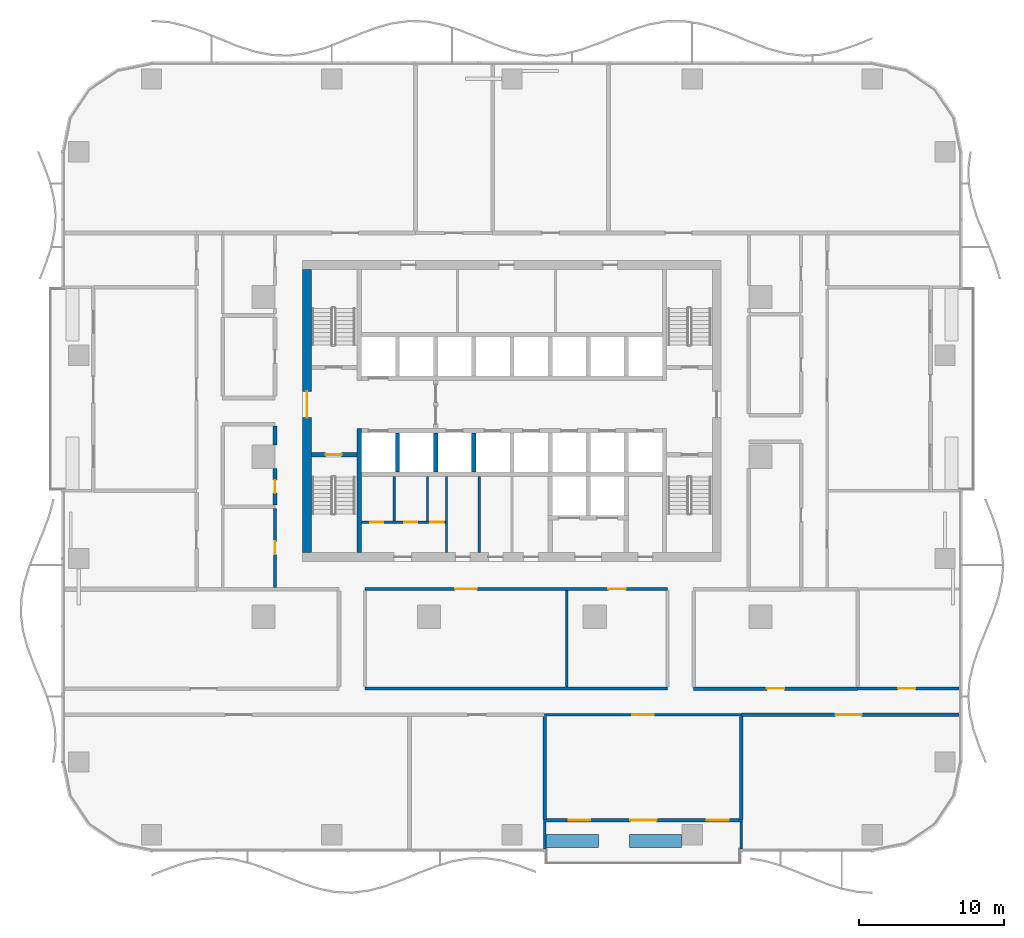
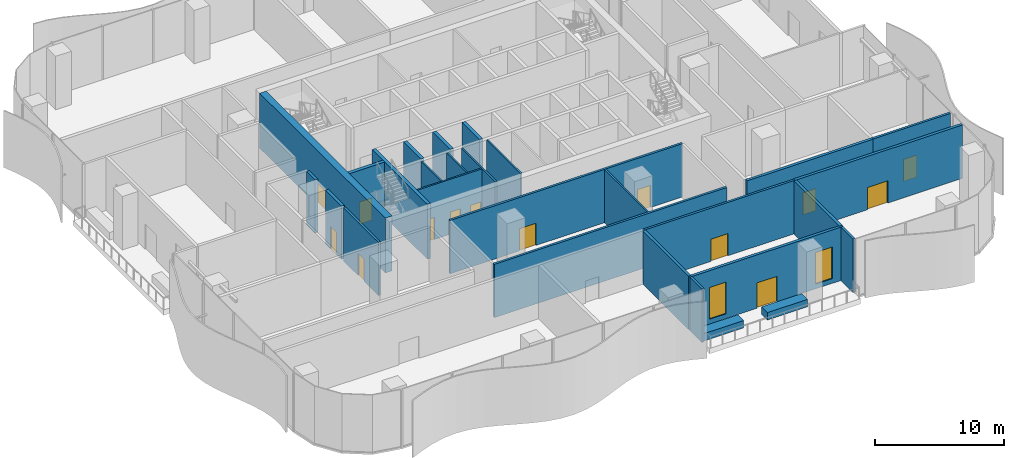
# One storey, part 8 of 20: 28 walls, 14 doors, 2 windows, 16 openings.
"""IFC4 building model written with IfcOpenShell, lengths in metres."""

from ifc_helpers import new_model, si_unit, direction, frame, frame_2d, origin, place, context, subcontext, project, spatial, rectangle, extrude, material, layer, layer_set, type_object, element, fill, save


model = new_model("IFC4")

# Units and contexts
model_context = context("Model", 3, precision=1e-05, world=origin(), true_north=direction((0.0, 1.0)))
body_context = subcontext(model_context, "Body", "Model", "MODEL_VIEW")
ifc_project = project(units=[si_unit("LENGTHUNIT", "METRE"), si_unit("AREAUNIT", "SQUARE_METRE"), si_unit("VOLUMEUNIT", "CUBIC_METRE"), si_unit("PLANEANGLEUNIT", "RADIAN"), si_unit("MASSUNIT", "GRAM", prefix="KILO")], contexts=[model_context])

# Site, building, storey
site_placement = place(None, origin())
site = spatial("IfcSite", under=ifc_project, at=site_placement, CompositionType="ELEMENT")
building_placement = place(site_placement, origin())
building = spatial("IfcBuilding", under=site, at=building_placement, Name="Mopane Tessera Tower", CompositionType="ELEMENT")
storey_placement = place(building_placement, frame((0.0, 0.0, 25.5)))
storey = spatial("IfcBuildingStorey", under=building, at=storey_placement, Name="L04", CompositionType="ELEMENT", Elevation=25.5)

# Wall, openings, doors
ifc_material_1 = material(Name="Fire-rated gypsum board partition")
ifc_layer_1 = layer(ifc_material_1, 0.14990234375)
ifc_layer_set_1 = layer_set([ifc_layer_1], Name="Fire-rated gypsum board partition")
wall_type_1 = type_object("IfcWallType", Name="Core room partition 150 mm", PredefinedType="PARTITIONING", material=ifc_layer_set_1)
wall_1_placement = place(storey_placement, frame((-10.35009765625, -4.5, 0.0), z_axis=(0.0, 0.0, 1.0), x_axis=(1.0, 0.0, 0.0)))
wall_1 = element("IfcWall", 1, at=wall_1_placement, inside=storey, type_object=wall_type_1, Name="L04 WC partition", PredefinedType="PARTITIONING", context=body_context, shape_type="SweptSolid", body=[
    extrude(rectangle(XDim=5.775146484375, YDim=0.14990234375, at=frame_2d((2.8876953125, 0.0))), origin(), (0.0, 0.0, 1.0), 5.199951171875),
])
opening_1_placement = place(wall_1_placement, frame((0.60009765625, 0.0, 0.0)))
opening_1 = element("IfcOpeningElement", 2, at=opening_1_placement, cuts=wall_1, Name="Opening WD1", PredefinedType="OPENING", context=body_context, shape_type="SweptSolid", body=[
    extrude(rectangle(XDim=0.89990234375, YDim=2.10009765625, at=frame_2d((0.449951171875, 1.050048828125))), frame((0.0, 0.0869140625, 0.0), z_axis=(0.0, -1.0, 0.0), x_axis=(1.0, 0.0, 0.0)), (0.0, 0.0, 1.0), 0.173828125),
])
opening_2_placement = place(wall_1_placement, frame((2.93994140625, 0.0, 0.0)))
opening_2 = element("IfcOpeningElement", 3, at=opening_2_placement, cuts=wall_1, Name="Opening WD1", PredefinedType="OPENING", context=body_context, shape_type="SweptSolid", body=[
    extrude(rectangle(XDim=0.89990234375, YDim=2.10009765625, at=frame_2d((0.449951171875, 1.050048828125))), frame((0.0, 0.0869140625, 0.0), z_axis=(0.0, -1.0, 0.0), x_axis=(1.0, 0.0, 0.0)), (0.0, 0.0, 1.0), 0.173828125),
])
opening_3_placement = place(wall_1_placement, frame((4.715087890625, 0.0, 0.0)))
opening_3 = element("IfcOpeningElement", 4, at=opening_3_placement, cuts=wall_1, Name="Opening WD2", PredefinedType="OPENING", context=body_context, shape_type="SweptSolid", body=[
    extrude(rectangle(XDim=0.949951171875, YDim=2.10009765625, at=frame_2d((0.47509765625, 1.050048828125))), frame((0.0, 0.0869140625, 0.0), z_axis=(0.0, -1.0, 0.0), x_axis=(1.0, 0.0, 0.0)), (0.0, 0.0, 1.0), 0.173828125),
])
ifc_material_2 = material(Name="Timber door", Category="wood")
door_type_1 = type_object("IfcDoorType", Name="Accessible WC door 950 x 2100", OperationType="SINGLE_SWING_LEFT", PredefinedType="DOOR", material=ifc_material_2)
door_1_placement = place(opening_3_placement, origin())
door_1 = element("IfcDoor", 5, at=door_1_placement, inside=storey, type_object=door_type_1, Name="L04 Accessible WC door", OperationType="SINGLE_SWING_LEFT", OverallHeight=2.10009765625, OverallWidth=0.949951171875, PredefinedType="DOOR", context=body_context, shape_type="SweptSolid", body=[
    extrude(rectangle(XDim=0.949951171875, YDim=2.10009765625, at=frame_2d((0.47509765625, 1.050048828125))), frame((0.0, 0.02490234375, 0.0), z_axis=(0.0, -1.0, 0.0), x_axis=(1.0, 0.0, 0.0)), (0.0, 0.0, 1.0), 0.050048828125),
])
fill(opening_3, door_1)
ifc_material_3 = material(Name="Timber door", Category="wood")
door_type_2 = type_object("IfcDoorType", Name="WC cubicle door 900 x 2100", OperationType="SINGLE_SWING_LEFT", PredefinedType="DOOR", material=ifc_material_3)
door_2_placement = place(opening_1_placement, origin())
door_2 = element("IfcDoor", 6, at=door_2_placement, inside=storey, type_object=door_type_2, Name="L04 Men's WC door", OperationType="SINGLE_SWING_LEFT", OverallHeight=2.10009765625, OverallWidth=0.89990234375, PredefinedType="DOOR", context=body_context, shape_type="SweptSolid", body=[
    extrude(rectangle(XDim=0.89990234375, YDim=2.10009765625, at=frame_2d((0.449951171875, 1.050048828125))), frame((0.0, 0.02490234375, 0.0), z_axis=(0.0, -1.0, 0.0), x_axis=(1.0, 0.0, 0.0)), (0.0, 0.0, 1.0), 0.050048828125),
])
fill(opening_1, door_2)
door_3_placement = place(opening_2_placement, origin())
door_3 = element("IfcDoor", 7, at=door_3_placement, inside=storey, type_object=door_type_2, Name="L04 Women's WC door", OperationType="SINGLE_SWING_LEFT", OverallHeight=2.10009765625, OverallWidth=0.89990234375, PredefinedType="DOOR", context=body_context, shape_type="SweptSolid", body=[
    extrude(rectangle(XDim=0.89990234375, YDim=2.10009765625, at=frame_2d((0.449951171875, 1.050048828125))), frame((0.0, 0.02490234375, 0.0), z_axis=(0.0, -1.0, 0.0), x_axis=(1.0, 0.0, 0.0)), (0.0, 0.0, 1.0), 0.050048828125),
])
fill(opening_2, door_3)

# Walls
for number, where, z_axis, x_axis, name in (
    (8, (-8.10009765625, -4.425048828125, 0.0), (0.0, 0.0, 1.0), (0.0, 1.0, 0.0), "L04 WC partition"),
    (9, (-5.820068359375, -4.425048828125, 0.0), (0.0, 0.0, 1.0), (0.0, 1.0, 0.0), "L04 WC partition"),
):
    element("IfcWall", number, at=place(storey_placement, frame(where, z_axis=z_axis, x_axis=x_axis)), inside=storey, type_object=wall_type_1, Name=name, PredefinedType="PARTITIONING", context=body_context, shape_type="SweptSolid", body=[
        extrude(rectangle(XDim=3.074951171875, YDim=0.14990234375, at=frame_2d((1.53759765625, 0.0))), origin(), (0.0, 0.0, 1.0), 5.199951171875),
    ])
for number, where, z_axis, x_axis, name in (
    (10, (-4.5, -6.60009765625, 0.0), (0.0, 0.0, 1.0), (0.0, 1.0, 0.0), "L04 Room partition"),
    (11, (-2.25, -6.60009765625, 0.0), (0.0, 0.0, 1.0), (0.0, 1.0, 0.0), "L04 Room partition"),
):
    element("IfcWall", number, at=place(storey_placement, frame(where, z_axis=z_axis, x_axis=x_axis)), inside=storey, type_object=wall_type_1, Name=name, PredefinedType="PARTITIONING", context=body_context, shape_type="SweptSolid", body=[
        extrude(rectangle(XDim=5.25, YDim=0.14990234375, at=frame_2d((2.625, 0.0))), origin(), (0.0, 0.0, 1.0), 5.199951171875),
    ])

# Wall, opening, door
ifc_material_4 = material(Name="Concrete C70/85", Category="concrete")
ifc_layer_2 = layer(ifc_material_4, 0.60009765625)
ifc_layer_set_2 = layer_set([ifc_layer_2], Name="Concrete C70/85")
wall_type_2 = type_object("IfcWallType", Name="Core shear wall 600 mm", PredefinedType="SHEAR", material=ifc_layer_set_2)
wall_2_placement = place(storey_placement, frame((-14.10009765625, -6.60009765625, 0.0), z_axis=(0.0, 0.0, 1.0), x_axis=(0.0, 1.0, 0.0)))
wall_2 = element("IfcWall", 12, at=wall_2_placement, inside=storey, type_object=wall_type_2, Name="L04 Core wall west", PredefinedType="SHEAR", context=body_context, shape_type="SweptSolid", body=[
    extrude(rectangle(XDim=19.5, YDim=0.60009765625, at=frame_2d((9.75, 0.0))), origin(), (0.0, 0.0, 1.0), 5.199951171875),
])
opening_4_placement = place(wall_2_placement, frame((9.300048828125, 0.0, 0.0)))
opening_4 = element("IfcOpeningElement", 13, at=opening_4_placement, cuts=wall_2, Name="Opening SD2", PredefinedType="OPENING", context=body_context, shape_type="SweptSolid", body=[
    extrude(rectangle(XDim=1.800048828125, YDim=2.10009765625, at=frame_2d((0.89990234375, 1.050048828125))), frame((0.0, 0.31201171875, 0.0), z_axis=(0.0, -1.0, 0.0), x_axis=(1.0, 0.0, 0.0)), (0.0, 0.0, 1.0), 0.6240234375),
])
ifc_material_5 = material(Name="Steel fire door", Category="steel")
door_type_3 = type_object("IfcDoorType", Name="Core entrance double door 1800 x 2100", OperationType="DOUBLE_DOOR_SINGLE_SWING", PredefinedType="DOOR", material=ifc_material_5)
door_4_placement = place(opening_4_placement, origin())
door_4 = element("IfcDoor", 14, at=door_4_placement, inside=storey, type_object=door_type_3, Name="L04 Core entrance door west", OperationType="DOUBLE_DOOR_SINGLE_SWING", OverallHeight=2.10009765625, OverallWidth=1.800048828125, PredefinedType="DOOR", context=body_context, shape_type="SweptSolid", body=[
    extrude(rectangle(XDim=1.800048828125, YDim=2.10009765625, at=frame_2d((0.89990234375, 1.050048828125))), frame((0.0, 0.02490234375, 0.0), z_axis=(0.0, -1.0, 0.0), x_axis=(1.0, 0.0, 0.0)), (0.0, 0.0, 1.0), 0.050048828125),
])
fill(opening_4, door_4)

# Wall
ifc_material_6 = material(Name="Concrete C60/75", Category="concrete")
ifc_layer_3 = layer(ifc_material_6, 0.300048828125)
ifc_layer_set_3 = layer_set([ifc_layer_3], Name="Concrete C60/75")
wall_type_3 = type_object("IfcWallType", Name="Core spine wall 300 mm", PredefinedType="SHEAR", material=ifc_layer_set_3)
wall_3_placement = place(storey_placement, frame((-10.5, -6.60009765625, 0.0), z_axis=(0.0, 0.0, 1.0), x_axis=(0.0, 1.0, 0.0)))
element("IfcWall", 15, at=wall_3_placement, inside=storey, type_object=wall_type_3, Name="L04 Core spine wall", PredefinedType="SHEAR", context=body_context, shape_type="SweptSolid", body=[
    extrude(rectangle(XDim=8.550048828125, YDim=0.300048828125, at=frame_2d((4.27490234375, 0.0))), origin(), (0.0, 0.0, 1.0), 5.199951171875),
])

# Wall, opening, door
ifc_material_7 = material(Name="Gypsum board on steel studs, two layers each face, mineral wool infill", Category="steel")
ifc_layer_4 = layer(ifc_material_7, 0.199951171875)
ifc_layer_set_4 = layer_set([ifc_layer_4], Name="Gypsum board on steel studs, two layers each face, mineral wool infill")
wall_type_4 = type_object("IfcWallType", Name="Gypsum board corridor wall 200, rated EI 60", PredefinedType="PARTITIONING", material=ifc_layer_set_4)
wall_4_placement = place(storey_placement, frame((2.2548828125, -17.75, 0.0), z_axis=(0.0, 0.0, 1.0), x_axis=(1.0, 0.0, 0.0)))
wall_4 = element("IfcWall", 16, at=wall_4_placement, inside=storey, type_object=wall_type_4, Name="Partition L04:000", PredefinedType="PARTITIONING", context=body_context, shape_type="SweptSolid", body=[
    extrude(rectangle(XDim=13.525146484375, YDim=0.199951171875, at=frame_2d((6.7626953125, 0.0))), origin(), (0.0, 0.0, 1.0), 5.050048828125),
])
opening_5_placement = place(wall_4_placement, frame((6.012451171875, 0.0, 0.0)))
opening_5 = element("IfcOpeningElement", 17, at=opening_5_placement, cuts=wall_4, Name="Opening L04-19", PredefinedType="OPENING", context=body_context, shape_type="SweptSolid", body=[
    extrude(rectangle(XDim=1.5, YDim=2.10009765625, at=frame_2d((0.75, 1.050048828125))), frame((0.0, 0.112060546875, 0.0), z_axis=(0.0, -1.0, 0.0), x_axis=(1.0, 0.0, 0.0)), (0.0, 0.0, 1.0), 0.223876953125),
])
ifc_material_8 = material(Name="Timber veneered steel-framed fire door", Category="steel")
door_type_4 = type_object("IfcDoorType", Name="Fire door pair FD60 1500 x 2100", OperationType="DOUBLE_DOOR_SINGLE_SWING", PredefinedType="DOOR", material=ifc_material_8)
door_5_placement = place(opening_5_placement, origin())
door_5 = element("IfcDoor", 18, at=door_5_placement, inside=storey, type_object=door_type_4, Name="Door L04-19", ObjectType="D17A", OperationType="DOUBLE_DOOR_SINGLE_SWING", OverallHeight=2.10009765625, OverallWidth=1.5, PredefinedType="DOOR", context=body_context, shape_type="SweptSolid", body=[
    extrude(rectangle(XDim=1.5, YDim=2.10009765625, at=frame_2d((0.75, 1.050048828125))), frame((0.0, 0.02490234375, 0.0), z_axis=(0.0, -1.0, 0.0), x_axis=(1.0, 0.0, 0.0)), (0.0, 0.0, 1.0), 0.050048828125),
])
fill(opening_5, door_5)

# Wall
wall_5_placement = place(storey_placement, frame((-10.10009765625, -15.949951171875, 0.0), z_axis=(0.0, 0.0, 1.0), x_axis=(1.0, 0.0, 0.0)))
element("IfcWall", 19, at=wall_5_placement, inside=storey, type_object=wall_type_4, Name="Partition L04:003", PredefinedType="PARTITIONING", context=body_context, shape_type="SweptSolid", body=[
    extrude(rectangle(XDim=20.81005859375, YDim=0.199951171875, at=frame_2d((10.405029296875, 0.0))), origin(), (0.0, 0.0, 1.0), 5.050048828125),
])

# Wall, opening, door
wall_6_placement = place(storey_placement, frame((23.784912109375, -15.949951171875, 0.0), z_axis=(0.0, 0.0, 1.0), x_axis=(1.0, 0.0, 0.0)))
wall_6 = element("IfcWall", 20, at=wall_6_placement, inside=storey, type_object=wall_type_4, Name="Partition L04:004", PredefinedType="PARTITIONING", context=body_context, shape_type="SweptSolid", body=[
    extrude(rectangle(XDim=6.965087890625, YDim=0.199951171875, at=frame_2d((3.482421875, 0.0))), origin(), (0.0, 0.0, 1.0), 5.050048828125),
])
opening_6_placement = place(wall_6_placement, frame((2.782470703125, 0.0, 0.0)))
opening_6 = element("IfcOpeningElement", 21, at=opening_6_placement, cuts=wall_6, Name="Opening L04-17", PredefinedType="OPENING", context=body_context, shape_type="SweptSolid", body=[
    extrude(rectangle(XDim=1.199951171875, YDim=2.10009765625, at=frame_2d((0.60009765625, 1.050048828125))), frame((0.0, 0.112060546875, 0.0), z_axis=(0.0, -1.0, 0.0), x_axis=(1.0, 0.0, 0.0)), (0.0, 0.0, 1.0), 0.223876953125),
])
ifc_material_9 = material(Name="Timber veneered steel-framed fire door", Category="steel")
door_type_5 = type_object("IfcDoorType", Name="Fire door FD60 1200 x 2100", OperationType="SINGLE_SWING_LEFT", PredefinedType="DOOR", material=ifc_material_9)
door_6_placement = place(opening_6_placement, origin())
door_6 = element("IfcDoor", 22, at=door_6_placement, inside=storey, type_object=door_type_5, Name="Door L04-17", ObjectType="D15A", OperationType="SINGLE_SWING_RIGHT", OverallHeight=2.10009765625, OverallWidth=1.199951171875, PredefinedType="DOOR", context=body_context, shape_type="SweptSolid", body=[
    extrude(rectangle(XDim=1.199951171875, YDim=2.10009765625, at=frame_2d((0.60009765625, 1.050048828125))), frame((0.0, 0.02490234375, 0.0), z_axis=(0.0, -1.0, 0.0), x_axis=(1.0, 0.0, 0.0)), (0.0, 0.0, 1.0), 0.050048828125),
])
fill(opening_6, door_6)

# Wall, openings, doors
wall_7_placement = place(storey_placement, frame((-10.10009765625, -9.10009765625, 0.0), z_axis=(0.0, 0.0, 1.0), x_axis=(1.0, 0.0, 0.0)))
wall_7 = element("IfcWall", 23, at=wall_7_placement, inside=storey, type_object=wall_type_4, Name="Partition L04:008", PredefinedType="PARTITIONING", context=body_context, shape_type="SweptSolid", body=[
    extrude(rectangle(XDim=20.81005859375, YDim=0.199951171875, at=frame_2d((10.405029296875, 0.0))), origin(), (0.0, 0.0, 1.0), 5.050048828125),
])
opening_7_placement = place(wall_7_placement, frame((16.742431640625, 0.0, 0.0)))
opening_7 = element("IfcOpeningElement", 24, at=opening_7_placement, cuts=wall_7, Name="Opening L04-21", PredefinedType="OPENING", context=body_context, shape_type="SweptSolid", body=[
    extrude(rectangle(XDim=1.199951171875, YDim=2.10009765625, at=frame_2d((0.60009765625, 1.050048828125))), frame((0.0, 0.112060546875, 0.0), z_axis=(0.0, -1.0, 0.0), x_axis=(1.0, 0.0, 0.0)), (0.0, 0.0, 1.0), 0.223876953125),
])
opening_8_placement = place(wall_7_placement, frame((6.1875, 0.0, 0.0)))
opening_8 = element("IfcOpeningElement", 25, at=opening_8_placement, cuts=wall_7, Name="Opening L04-25", PredefinedType="OPENING", context=body_context, shape_type="SweptSolid", body=[
    extrude(rectangle(XDim=1.5, YDim=2.10009765625, at=frame_2d((0.75, 1.050048828125))), frame((0.0, 0.112060546875, 0.0), z_axis=(0.0, -1.0, 0.0), x_axis=(1.0, 0.0, 0.0)), (0.0, 0.0, 1.0), 0.223876953125),
])
door_7_placement = place(opening_7_placement, origin())
door_7 = element("IfcDoor", 26, at=door_7_placement, inside=storey, type_object=door_type_5, Name="Door L04-21", ObjectType="D15A", OperationType="SINGLE_SWING_LEFT", OverallHeight=2.10009765625, OverallWidth=1.199951171875, PredefinedType="DOOR", context=body_context, shape_type="SweptSolid", body=[
    extrude(rectangle(XDim=1.199951171875, YDim=2.10009765625, at=frame_2d((0.60009765625, 1.050048828125))), frame((0.0, 0.02490234375, 0.0), z_axis=(0.0, -1.0, 0.0), x_axis=(1.0, 0.0, 0.0)), (0.0, 0.0, 1.0), 0.050048828125),
])
fill(opening_7, door_7)
door_8_placement = place(opening_8_placement, origin())
door_8 = element("IfcDoor", 27, at=door_8_placement, inside=storey, type_object=door_type_4, Name="Door L04-25", ObjectType="D17A", OperationType="DOUBLE_DOOR_SINGLE_SWING", OverallHeight=2.10009765625, OverallWidth=1.5, PredefinedType="DOOR", context=body_context, shape_type="SweptSolid", body=[
    extrude(rectangle(XDim=1.5, YDim=2.10009765625, at=frame_2d((0.75, 1.050048828125))), frame((0.0, 0.02490234375, 0.0), z_axis=(0.0, -1.0, 0.0), x_axis=(1.0, 0.0, 0.0)), (0.0, 0.0, 1.0), 0.050048828125),
])
fill(opening_8, door_8)

# Wall, opening, door
wall_8_placement = place(storey_placement, frame((-16.300048828125, -8.97509765625, 0.0), z_axis=(0.0, 0.0, 1.0), x_axis=(0.0, 1.0, 0.0)))
wall_8 = element("IfcWall", 28, at=wall_8_placement, inside=storey, type_object=wall_type_4, Name="Partition L04:038", PredefinedType="PARTITIONING", context=body_context, shape_type="SweptSolid", body=[
    extrude(rectangle(XDim=5.425048828125, YDim=0.199951171875, at=frame_2d((2.71240234375, 0.0))), origin(), (0.0, 0.0, 1.0), 5.050048828125),
])
opening_9_placement = place(wall_8_placement, frame((2.262451171875, 0.0, 0.0)))
opening_9 = element("IfcOpeningElement", 29, at=opening_9_placement, cuts=wall_8, Name="Opening L04-22", PredefinedType="OPENING", context=body_context, shape_type="SweptSolid", body=[
    extrude(rectangle(XDim=0.89990234375, YDim=2.10009765625, at=frame_2d((0.449951171875, 1.050048828125))), frame((0.0, 0.112060546875, 0.0), z_axis=(0.0, -1.0, 0.0), x_axis=(1.0, 0.0, 0.0)), (0.0, 0.0, 1.0), 0.223876953125),
])
ifc_material_10 = material(Name="Timber veneered steel-framed fire door", Category="steel")
door_type_6 = type_object("IfcDoorType", Name="Fire door FD60 900 x 2100", OperationType="SINGLE_SWING_LEFT", PredefinedType="DOOR", material=ifc_material_10)
door_9_placement = place(opening_9_placement, origin())
door_9 = element("IfcDoor", 30, at=door_9_placement, inside=storey, type_object=door_type_6, Name="Door L04-22", ObjectType="D10A", OperationType="SINGLE_SWING_LEFT", OverallHeight=2.10009765625, OverallWidth=0.89990234375, PredefinedType="DOOR", context=body_context, shape_type="SweptSolid", body=[
    extrude(rectangle(XDim=0.89990234375, YDim=2.10009765625, at=frame_2d((0.449951171875, 1.050048828125))), frame((0.0, 0.02490234375, 0.0), z_axis=(0.0, -1.0, 0.0), x_axis=(1.0, 0.0, 0.0)), (0.0, 0.0, 1.0), 0.050048828125),
])
fill(opening_9, door_9)

# Wall
ifc_material_11 = material(Name="Gypsum board on steel studs, mineral wool infill", Category="steel")
ifc_layer_5 = layer(ifc_material_11, 0.14990234375)
ifc_layer_set_5 = layer_set([ifc_layer_5], Name="Gypsum board on steel studs, mineral wool infill")
wall_type_5 = type_object("IfcWallType", Name="Gypsum board partition 150, rated EI 60", PredefinedType="PARTITIONING", material=ifc_layer_set_5)
wall_9_placement = place(storey_placement, frame((3.77490234375, -15.85009765625, 0.0), z_axis=(0.0, 0.0, 1.0), x_axis=(0.0, 1.0, 0.0)))
element("IfcWall", 31, at=wall_9_placement, inside=storey, type_object=wall_type_5, Name="Partition L04:050", PredefinedType="PARTITIONING", context=body_context, shape_type="SweptSolid", body=[
    extrude(rectangle(XDim=6.650146484375, YDim=0.14990234375, at=frame_2d((3.3251953125, 0.0))), origin(), (0.0, 0.0, 1.0), 5.050048828125),
])

# Wall, opening, door
ifc_material_12 = material(Name="Concrete C50/60", Category="concrete")
ifc_layer_6 = layer(ifc_material_12, 0.300048828125)
ifc_layer_set_6 = layer_set([ifc_layer_6], Name="Concrete C50/60")
wall_type_6 = type_object("IfcWallType", Name="Lift and stair shaft wall 300 mm", PredefinedType="SOLIDWALL", material=ifc_layer_set_6)
wall_10_placement = place(storey_placement, frame((-13.800048828125, 0.14990234375, 0.0), z_axis=(0.0, 0.0, 1.0), x_axis=(1.0, 0.0, 0.0)))
wall_10 = element("IfcWall", 32, at=wall_10_placement, inside=storey, type_object=wall_type_6, Name="L04 Stair enclosure wall", PredefinedType="SOLIDWALL", context=body_context, shape_type="SweptSolid", body=[
    extrude(rectangle(XDim=3.150146484375, YDim=0.300048828125, at=frame_2d((1.5751953125, 0.0))), origin(), (0.0, 0.0, 1.0), 5.199951171875),
])
opening_10_placement = place(wall_10_placement, frame((0.97509765625, 0.0, 0.0)))
opening_10 = element("IfcOpeningElement", 33, at=opening_10_placement, cuts=wall_10, Name="Opening SD1", PredefinedType="OPENING", context=body_context, shape_type="SweptSolid", body=[
    extrude(rectangle(XDim=1.10009765625, YDim=2.10009765625, at=frame_2d((0.550048828125, 1.050048828125))), frame((0.0, 0.162109375, 0.0), z_axis=(0.0, -1.0, 0.0), x_axis=(1.0, 0.0, 0.0)), (0.0, 0.0, 1.0), 0.323974609375),
])
ifc_material_13 = material(Name="Steel fire door", Category="steel")
door_type_7 = type_object("IfcDoorType", Name="Stair fire door 1100 x 2100", OperationType="SINGLE_SWING_LEFT", PredefinedType="DOOR", material=ifc_material_13)
door_10_placement = place(opening_10_placement, origin())
door_10 = element("IfcDoor", 34, at=door_10_placement, inside=storey, type_object=door_type_7, Name="L04 Stair door ST1", OperationType="SINGLE_SWING_LEFT", OverallHeight=2.10009765625, OverallWidth=1.10009765625, PredefinedType="DOOR", context=body_context, shape_type="SweptSolid", body=[
    extrude(rectangle(XDim=1.10009765625, YDim=2.10009765625, at=frame_2d((0.550048828125, 1.050048828125))), frame((0.0, 0.02490234375, 0.0), z_axis=(0.0, -1.0, 0.0), x_axis=(1.0, 0.0, 0.0)), (0.0, 0.0, 1.0), 0.050048828125),
])
fill(opening_10, door_10)

# Walls
for number, where, z_axis, x_axis, name in (
    (35, (-7.875, -1.050048828125, 0.0), (0.0, 0.0, 1.0), (0.0, 1.0, 0.0), "L04 Lift shaft wall"),
    (36, (-5.25, -1.050048828125, 0.0), (0.0, 0.0, 1.0), (0.0, 1.0, 0.0), "L04 Lift shaft wall"),
    (37, (-2.625, -1.050048828125, 0.0), (0.0, 0.0, 1.0), (0.0, 1.0, 0.0), "L04 Lift shaft wall"),
):
    element("IfcWall", number, at=place(storey_placement, frame(where, z_axis=z_axis, x_axis=x_axis)), inside=storey, type_object=wall_type_6, Name=name, PredefinedType="SOLIDWALL", context=body_context, shape_type="SweptSolid", body=[
        extrude(rectangle(XDim=2.699951171875, YDim=0.300048828125, at=frame_2d((1.35009765625, 0.0))), origin(), (0.0, 0.0, 1.0), 5.199951171875),
    ])
ifc_material_14 = material(Name="Reinforced concrete C32/40 with waterproofing", Category="concrete")
ifc_layer_7 = layer(ifc_material_14, 0.89990234375)
ifc_layer_set_7 = layer_set([ifc_layer_7], Name="Reinforced concrete C32/40 with waterproofing")
wall_type_7 = type_object("IfcWallType", Name="Planter trough 3600 x 900", PredefinedType="STANDARD", material=ifc_layer_set_7)
for number, where, z_axis, x_axis, name in (
    (38, (2.3544921875, -26.449951171875, 0.0), (0.0, 0.0, 1.0), (1.0, 0.0, 0.0), "e:nw:L04:N1:pl0"),
    (39, (8.079833984375, -26.449951171875, 0.0), (0.0, 0.0, 1.0), (1.0, 0.0, 0.0), "e:nw:L04:N1:pl1"),
):
    element("IfcWall", number, at=place(storey_placement, frame(where, z_axis=z_axis, x_axis=x_axis)), inside=storey, type_object=wall_type_7, Name=name, PredefinedType="STANDARD", context=body_context, shape_type="SweptSolid", body=[
        extrude(rectangle(XDim=3.60009765625, YDim=0.89990234375, at=frame_2d((1.800048828125, 0.0))), origin(), (0.0, 0.0, 1.0), 0.699951171875),
    ])

# Wall, opening, door
ifc_material_15 = material(Name="Plastered concrete blockwork C20/25", Category="masonry")
ifc_layer_8 = layer(ifc_material_15, 0.25)
ifc_layer_set_8 = layer_set([ifc_layer_8], Name="Plastered concrete blockwork C20/25")
wall_type_8 = type_object("IfcWallType", Name="Plastered blockwork wall 250, rated EI 120", PredefinedType="PARTITIONING", material=ifc_layer_set_8)
wall_11_placement = place(storey_placement, frame((15.780029296875, -17.75, 0.0), z_axis=(0.0, 0.0, 1.0), x_axis=(1.0, 0.0, 0.0)))
wall_11 = element("IfcWall", 40, at=wall_11_placement, inside=storey, type_object=wall_type_8, Name="Partition L04:002", PredefinedType="PARTITIONING", context=body_context, shape_type="SweptSolid", body=[
    extrude(rectangle(XDim=14.969970703125, YDim=0.25, at=frame_2d((7.48486328125, 0.0))), origin(), (0.0, 0.0, 1.0), 5.050048828125),
])
opening_11_placement = place(wall_11_placement, frame((6.485107421875, 0.0, 0.0)))
opening_11 = element("IfcOpeningElement", 41, at=opening_11_placement, cuts=wall_11, Name="Opening L04-07", PredefinedType="OPENING", context=body_context, shape_type="SweptSolid", body=[
    extrude(rectangle(XDim=1.800048828125, YDim=2.10009765625, at=frame_2d((0.89990234375, 1.050048828125))), frame((0.0, 0.136962890625, 0.0), z_axis=(0.0, -1.0, 0.0), x_axis=(1.0, 0.0, 0.0)), (0.0, 0.0, 1.0), 0.27392578125),
])
ifc_material_16 = material(Name="Timber veneered steel-framed fire door", Category="steel")
door_type_8 = type_object("IfcDoorType", Name="Fire door pair FD120 1800 x 2100", OperationType="DOUBLE_DOOR_SINGLE_SWING", PredefinedType="DOOR", material=ifc_material_16)
door_11_placement = place(opening_11_placement, origin())
door_11 = element("IfcDoor", 42, at=door_11_placement, inside=storey, type_object=door_type_8, Name="Door L04-07", ObjectType="D20B", OperationType="DOUBLE_DOOR_SINGLE_SWING", OverallHeight=2.10009765625, OverallWidth=1.800048828125, PredefinedType="DOOR", context=body_context, shape_type="SweptSolid", body=[
    extrude(rectangle(XDim=1.800048828125, YDim=2.10009765625, at=frame_2d((0.89990234375, 1.050048828125))), frame((0.0, 0.02490234375, 0.0), z_axis=(0.0, -1.0, 0.0), x_axis=(1.0, 0.0, 0.0)), (0.0, 0.0, 1.0), 0.050048828125),
])
fill(opening_11, door_11)

wall_12_placement = place(storey_placement, frame((12.510009765625, -15.949951171875, 0.0), z_axis=(0.0, 0.0, 1.0), x_axis=(1.0, 0.0, 0.0)))
wall_12 = element("IfcWall", 43, at=wall_12_placement, inside=storey, type_object=wall_type_8, Name="Partition L04:006", PredefinedType="PARTITIONING", context=body_context, shape_type="SweptSolid", body=[
    extrude(rectangle(XDim=11.27490234375, YDim=0.25, at=frame_2d((5.637451171875, 0.0))), origin(), (0.0, 0.0, 1.0), 5.050048828125),
])
opening_12_placement = place(wall_12_placement, frame((5.03759765625, 0.0, 0.0)))
opening_12 = element("IfcOpeningElement", 44, at=opening_12_placement, cuts=wall_12, Name="Opening L04-15", PredefinedType="OPENING", context=body_context, shape_type="SweptSolid", body=[
    extrude(rectangle(XDim=1.199951171875, YDim=2.10009765625, at=frame_2d((0.60009765625, 1.050048828125))), frame((0.0, 0.136962890625, 0.0), z_axis=(0.0, -1.0, 0.0), x_axis=(1.0, 0.0, 0.0)), (0.0, 0.0, 1.0), 0.27392578125),
])
ifc_material_17 = material(Name="Timber veneered steel-framed fire door", Category="steel")
door_type_9 = type_object("IfcDoorType", Name="Fire door FD120 1200 x 2100", OperationType="SINGLE_SWING_LEFT", PredefinedType="DOOR", material=ifc_material_17)
door_12_placement = place(opening_12_placement, origin())
door_12 = element("IfcDoor", 45, at=door_12_placement, inside=storey, type_object=door_type_9, Name="Door L04-15", ObjectType="D15B", OperationType="SINGLE_SWING_LEFT", OverallHeight=2.10009765625, OverallWidth=1.199951171875, PredefinedType="DOOR", context=body_context, shape_type="SweptSolid", body=[
    extrude(rectangle(XDim=1.199951171875, YDim=2.10009765625, at=frame_2d((0.60009765625, 1.050048828125))), frame((0.0, 0.02490234375, 0.0), z_axis=(0.0, -1.0, 0.0), x_axis=(1.0, 0.0, 0.0)), (0.0, 0.0, 1.0), 0.050048828125),
])
fill(opening_12, door_12)

wall_13_placement = place(storey_placement, frame((-16.300048828125, -3.300048828125, 0.0), z_axis=(0.0, 0.0, 1.0), x_axis=(0.0, 1.0, 0.0)))
wall_13 = element("IfcWall", 46, at=wall_13_placement, inside=storey, type_object=wall_type_8, Name="Partition L04:041", PredefinedType="PARTITIONING", context=body_context, shape_type="SweptSolid", body=[
    extrude(rectangle(XDim=2.5, YDim=0.25, at=frame_2d((1.25, 0.0))), origin(), (0.0, 0.0, 1.0), 5.050048828125),
])
opening_13_placement = place(wall_13_placement, frame((0.800048828125, 0.0, 0.0)))
opening_13 = element("IfcOpeningElement", 47, at=opening_13_placement, cuts=wall_13, Name="Opening L04-10", PredefinedType="OPENING", context=body_context, shape_type="SweptSolid", body=[
    extrude(rectangle(XDim=0.89990234375, YDim=2.10009765625, at=frame_2d((0.449951171875, 1.050048828125))), frame((0.0, 0.136962890625, 0.0), z_axis=(0.0, -1.0, 0.0), x_axis=(1.0, 0.0, 0.0)), (0.0, 0.0, 1.0), 0.27392578125),
])
ifc_material_18 = material(Name="Timber veneered steel-framed fire door", Category="steel")
door_type_10 = type_object("IfcDoorType", Name="Fire door FD120 900 x 2100", OperationType="SINGLE_SWING_LEFT", PredefinedType="DOOR", material=ifc_material_18)
door_13_placement = place(opening_13_placement, origin())
door_13 = element("IfcDoor", 48, at=door_13_placement, inside=storey, type_object=door_type_10, Name="Door L04-10", ObjectType="D10B", OperationType="SINGLE_SWING_RIGHT", OverallHeight=2.10009765625, OverallWidth=0.89990234375, PredefinedType="DOOR", context=body_context, shape_type="SweptSolid", body=[
    extrude(rectangle(XDim=0.89990234375, YDim=2.10009765625, at=frame_2d((0.449951171875, 1.050048828125))), frame((0.0, 0.02490234375, 0.0), z_axis=(0.0, -1.0, 0.0), x_axis=(1.0, 0.0, 0.0)), (0.0, 0.0, 1.0), 0.050048828125),
])
fill(opening_13, door_13)

# Walls
wall_14_placement = place(storey_placement, frame((-16.300048828125, 0.800048828125, 0.0), z_axis=(0.0, 0.0, 1.0), x_axis=(0.0, 1.0, 0.0)))
element("IfcWall", 49, at=wall_14_placement, inside=storey, type_object=wall_type_8, Name="Partition L04:042", PredefinedType="PARTITIONING", context=body_context, shape_type="SweptSolid", body=[
    extrude(rectangle(XDim=1.324951171875, YDim=0.25, at=frame_2d((0.66259765625, 0.0))), origin(), (0.0, 0.0, 1.0), 5.050048828125),
])
for number, where, z_axis, x_axis, name in (
    (50, (2.2548828125, -24.949951171875, 0.0), (0.0, 0.0, 1.0), (0.0, 1.0, 0.0), "Partition L04:049"),
    (51, (15.780029296875, -24.949951171875, 0.0), (0.0, 0.0, 1.0), (0.0, 1.0, 0.0), "Partition L04:054"),
):
    element("IfcWall", number, at=place(storey_placement, frame(where, z_axis=z_axis, x_axis=x_axis)), inside=storey, type_object=wall_type_8, Name=name, PredefinedType="PARTITIONING", context=body_context, shape_type="SweptSolid", body=[
        extrude(rectangle(XDim=7.074951171875, YDim=0.25, at=frame_2d((3.53759765625, 0.0))), origin(), (0.0, 0.0, 1.0), 5.050048828125),
    ])
ifc_material_19 = material(Name="Blockwork with glazed tile facing", Category="masonry")
ifc_layer_9 = layer(ifc_material_19, 0.199951171875)
ifc_layer_set_9 = layer_set([ifc_layer_9], Name="Blockwork with glazed tile facing")
wall_type_9 = type_object("IfcWallType", Name="Terrace cheek wall 200", PredefinedType="STANDARD", material=ifc_layer_set_9)
for number, where, z_axis, x_axis, name in (
    (52, (2.254638671875, -27.0, 0.0), (0.0, 0.0, 1.0), (0.0, 1.0, 0.0), "e:nw:L04:N1:cheeka"),
    (53, (15.78173828125, -27.0, 0.0), (0.0, 0.0, 1.0), (0.0, 1.0, 0.0), "e:nw:L04:N1:cheekb"),
):
    element("IfcWall", number, at=place(storey_placement, frame(where, z_axis=z_axis, x_axis=x_axis)), inside=storey, type_object=wall_type_9, Name=name, PredefinedType="STANDARD", context=body_context, shape_type="SweptSolid", body=[
        extrude(rectangle(XDim=1.875, YDim=0.199951171875, at=frame_2d((0.9375, 0.0))), origin(), (0.0, 0.0, 1.0), 5.050048828125),
    ])

# Wall, openings, windows, door
ifc_material_20 = material(Name="Blockwork with turquoise glazed tile facing", Category="masonry")
ifc_layer_10 = layer(ifc_material_20, 0.25)
ifc_layer_set_10 = layer_set([ifc_layer_10], Name="Blockwork with turquoise glazed tile facing")
wall_type_10 = type_object("IfcWallType", Name="Tile-clad external wall 250, turquoise", PredefinedType="STANDARD", material=ifc_layer_set_10)
wall_15_placement = place(storey_placement, frame((2.154541015625, -25.0, 0.0), z_axis=(0.0, 0.0, 1.0), x_axis=(1.0, 0.0, 0.0)))
wall_15 = element("IfcWall", 54, at=wall_15_placement, inside=storey, type_object=wall_type_10, Name="e:nw:L04:N1:back", PredefinedType="STANDARD", context=body_context, shape_type="SweptSolid", body=[
    extrude(rectangle(XDim=13.727294921875, YDim=0.25, at=frame_2d((6.86376953125, 0.0))), origin(), (0.0, 0.0, 1.0), 5.050048828125),
])
opening_14_placement = place(wall_15_placement, frame((1.75, 0.0, 0.449951171875)))
opening_14 = element("IfcOpeningElement", 55, at=opening_14_placement, cuts=wall_15, Name="Opening NW041A", PredefinedType="OPENING", context=body_context, shape_type="SweptSolid", body=[
    extrude(rectangle(XDim=1.5, YDim=3.0, at=frame_2d((0.75, 1.5))), frame((0.0, 0.136962890625, 0.0), z_axis=(0.0, -1.0, 0.0), x_axis=(1.0, 0.0, 0.0)), (0.0, 0.0, 1.0), 0.27392578125),
])
opening_15_placement = place(wall_15_placement, frame((6.0, 0.0, 0.0)))
opening_15 = element("IfcOpeningElement", 56, at=opening_15_placement, cuts=wall_15, Name="Opening ND041", PredefinedType="OPENING", context=body_context, shape_type="SweptSolid", body=[
    extrude(rectangle(XDim=1.800048828125, YDim=2.39990234375, at=frame_2d((0.89990234375, 1.199951171875))), frame((0.0, 0.136962890625, 0.0), z_axis=(0.0, -1.0, 0.0), x_axis=(1.0, 0.0, 0.0)), (0.0, 0.0, 1.0), 0.27392578125),
])
opening_16_placement = place(wall_15_placement, frame((11.25, 0.0, 0.449951171875)))
opening_16 = element("IfcOpeningElement", 57, at=opening_16_placement, cuts=wall_15, Name="Opening NW041B", PredefinedType="OPENING", context=body_context, shape_type="SweptSolid", body=[
    extrude(rectangle(XDim=1.5, YDim=3.0, at=frame_2d((0.75, 1.5))), frame((0.0, 0.136962890625, 0.0), z_axis=(0.0, -1.0, 0.0), x_axis=(1.0, 0.0, 0.0)), (0.0, 0.0, 1.0), 0.27392578125),
])
ifc_material_21 = material(Name="Clear laminated glass", Category="glass")
window_type = type_object("IfcWindowType", Name="Fixed window 1500 x 3000", PartitioningType="SINGLE_PANEL", PredefinedType="WINDOW", material=ifc_material_21)
window_1_placement = place(opening_14_placement, origin())
window_1 = element("IfcWindow", 58, at=window_1_placement, inside=storey, type_object=window_type, Name="e:nw:L04:N1:win0", OverallHeight=3.0, OverallWidth=1.5, PartitioningType="SINGLE_PANEL", PredefinedType="WINDOW", context=body_context, shape_type="SweptSolid", body=[
    extrude(rectangle(XDim=1.5, YDim=3.0, at=frame_2d((0.75, 1.5))), frame((0.0, 0.030029296875, 0.0), z_axis=(0.0, -1.0, 0.0), x_axis=(1.0, 0.0, 0.0)), (0.0, 0.0, 1.0), 0.06005859375),
])
fill(opening_14, window_1)
window_2_placement = place(opening_16_placement, origin())
window_2 = element("IfcWindow", 59, at=window_2_placement, inside=storey, type_object=window_type, Name="e:nw:L04:N1:win2", OverallHeight=3.0, OverallWidth=1.5, PartitioningType="SINGLE_PANEL", PredefinedType="WINDOW", context=body_context, shape_type="SweptSolid", body=[
    extrude(rectangle(XDim=1.5, YDim=3.0, at=frame_2d((0.75, 1.5))), frame((0.0, 0.030029296875, 0.0), z_axis=(0.0, -1.0, 0.0), x_axis=(1.0, 0.0, 0.0)), (0.0, 0.0, 1.0), 0.06005859375),
])
fill(opening_16, window_2)
ifc_material_22 = material(Name="Aluminium and clear glass", Category="aluminium")
door_type_11 = type_object("IfcDoorType", Name="Terrace double door 1800 x 2400", OperationType="DOUBLE_DOOR_SINGLE_SWING", PredefinedType="DOOR", material=ifc_material_22)
door_14_placement = place(opening_15_placement, origin())
door_14 = element("IfcDoor", 60, at=door_14_placement, inside=storey, type_object=door_type_11, Name="e:nw:L04:N1:door", ObjectType="D1", OperationType="DOUBLE_DOOR_SINGLE_SWING", OverallHeight=2.39990234375, OverallWidth=1.800048828125, PredefinedType="DOOR", context=body_context, shape_type="SweptSolid", body=[
    extrude(rectangle(XDim=1.800048828125, YDim=2.39990234375, at=frame_2d((0.89990234375, 1.199951171875))), frame((0.0, 0.02490234375, 0.0), z_axis=(0.0, -1.0, 0.0), x_axis=(1.0, 0.0, 0.0)), (0.0, 0.0, 1.0), 0.050048828125),
])
fill(opening_15, door_14)

save(model, "model.ifc")
